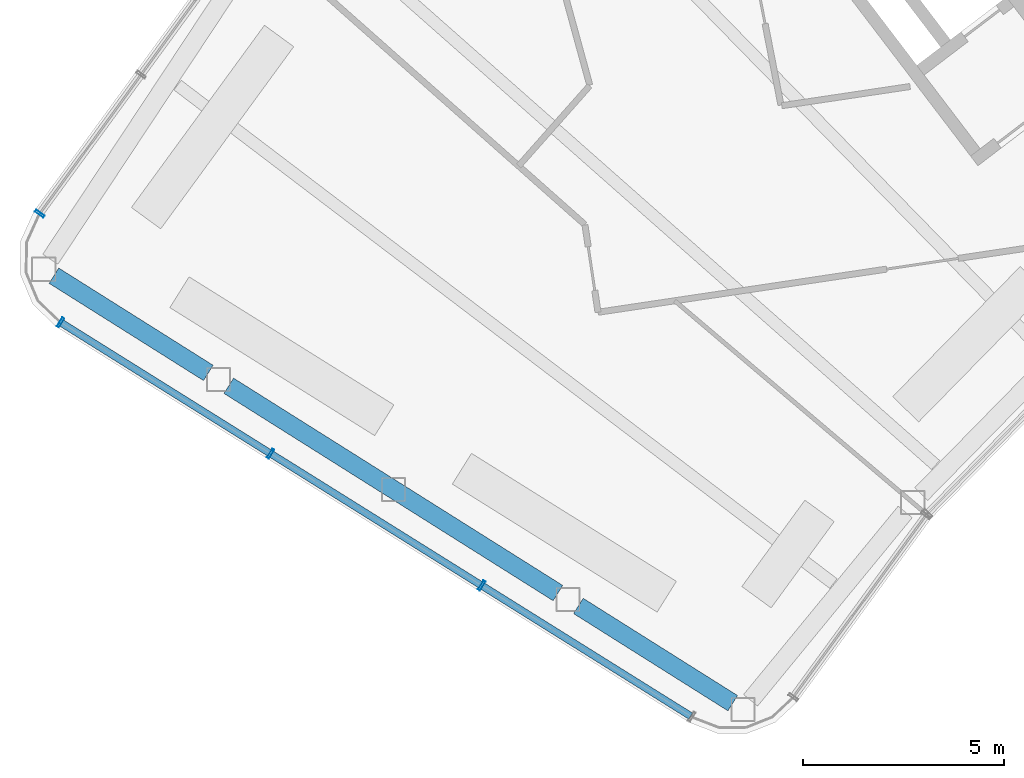
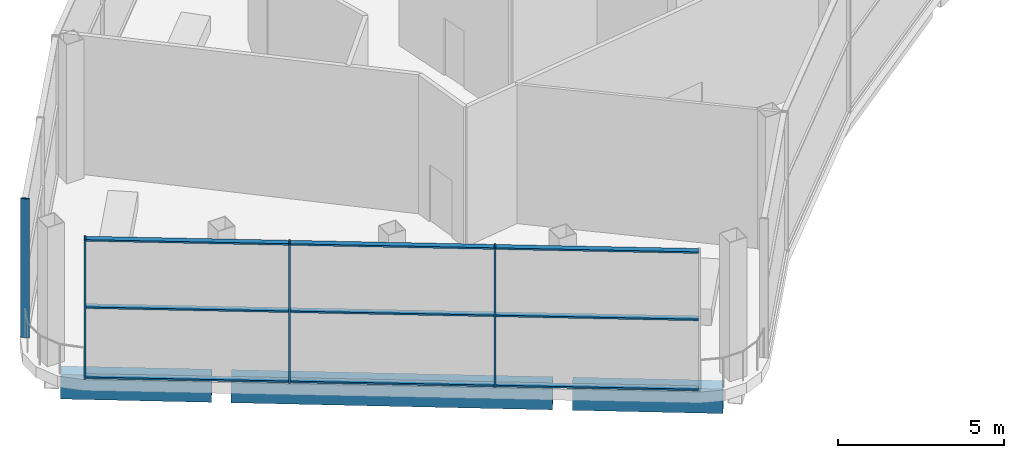
# One storey, part 3 of 43: 13 members, 3 beams, 2 elements without a shape of their own.
"""IFC4 building model written with IfcOpenShell, lengths in metres."""

from ifc_helpers import new_model, si_unit, direction, frame, origin, origin_2d, place, context, subcontext, project, spatial, hollow_rectangle, extrude, material, layer, layer_set, material_profile, profile_set, type_object, element, aggregate, save


model = new_model("IFC4")

# Units and contexts
model_context = context("Model", 3, precision=1e-05, world=origin(), true_north=direction((0.0, 1.0)))
body_context = subcontext(model_context, "Body", "Model", "MODEL_VIEW")
ifc_project = project(units=[si_unit("LENGTHUNIT", "METRE"), si_unit("AREAUNIT", "SQUARE_METRE"), si_unit("VOLUMEUNIT", "CUBIC_METRE"), si_unit("PLANEANGLEUNIT", "RADIAN"), si_unit("MASSUNIT", "GRAM", prefix="KILO")], contexts=[model_context])

# Site, building, storey
site_placement = place(None, origin())
site = spatial("IfcSite", under=ifc_project, at=site_placement, CompositionType="ELEMENT")
building_placement = place(site_placement, origin())
building = spatial("IfcBuilding", under=site, at=building_placement, Name="Tuul Gate Civic Tower", CompositionType="ELEMENT")
storey_placement = place(building_placement, frame((0.0, 0.0, 349.10009765625)))
storey = spatial("IfcBuildingStorey", under=building, at=storey_placement, Name="Observation level 1", CompositionType="ELEMENT", Elevation=349.10009765625)

# Curtain wall, member
ifc_material_1 = material(Name="Stainless steel", Category="steel")
ifc_layer = layer(ifc_material_1, 0.199951171875)
ifc_layer_set = layer_set([ifc_layer], Name="Stainless steel")
curtain_wall_type = type_object("IfcCurtainWallType", Name="Curtain wall CW4", PredefinedType="NOTDEFINED", material=ifc_layer_set)
curtain_wall_1_placement = place(storey_placement, origin())
curtain_wall_1 = element("IfcCurtainWall", 1, at=curtain_wall_1_placement, inside=storey, type_object=curtain_wall_type, Name="Curtain wall CW4", PredefinedType="NOTDEFINED")
ifc_material_2 = material(Name="Stainless steel", Category="steel")
ifc_material_profile_1 = material_profile(ifc_material_2, hollow_rectangle(XDim=0.260009765625, YDim=0.06005859375, WallThickness=0.006103515625, at=origin_2d()), Name="CW4 mullion")
ifc_profile_set_1 = profile_set([ifc_material_profile_1], Name="Stainless steel")
member_type_1 = type_object("IfcMemberType", Name="CW4 mullion", PredefinedType="MULLION", material=ifc_profile_set_1)
member_1_placement = place(storey_placement, frame((-59.580322265625, -18.919677734375, 0.0), z_axis=(0.0, 0.0, 1.0), x_axis=(0.807578487079, -0.589760109881, 0.0)))
member_1 = element("IfcMember", 2, at=member_1_placement, type_object=member_type_1, Name="Mullion", PredefinedType="MULLION", context=body_context, shape_type="SweptSolid", body=[
    extrude(hollow_rectangle(XDim=0.260009765625, YDim=0.06005859375, WallThickness=0.006103515625, at=origin_2d()), origin(), (0.0, 0.0, 1.0), 5.099853515625),
])
aggregate(curtain_wall_1, [member_1])

# Curtain wall, members
curtain_wall_2_placement = place(storey_placement, origin())
curtain_wall_2 = element("IfcCurtainWall", 3, at=curtain_wall_2_placement, inside=storey, type_object=curtain_wall_type, Name="Curtain wall CW4", PredefinedType="NOTDEFINED")
member_2_placement = place(storey_placement, frame((-59.0595703125, -21.619873046875, 0.0), z_axis=(0.0, 0.0, 1.0), x_axis=(0.529911707044, 0.848052818366, 0.0)))
member_2 = element("IfcMember", 4, at=member_2_placement, type_object=member_type_1, Name="Mullion", PredefinedType="MULLION", context=body_context, shape_type="SweptSolid", body=[
    extrude(hollow_rectangle(XDim=0.260009765625, YDim=0.06005859375, WallThickness=0.006103515625, at=origin_2d()), origin(), (0.0, 0.0, 1.0), 5.099853515625),
])
member_3_placement = place(storey_placement, frame((-53.841552734375, -24.88037109375, 0.0), z_axis=(0.0, 0.0, 1.0), x_axis=(0.529911707044, 0.848052818366, 0.0)))
member_3 = element("IfcMember", 5, at=member_3_placement, type_object=member_type_1, Name="Mullion", PredefinedType="MULLION", context=body_context, shape_type="SweptSolid", body=[
    extrude(hollow_rectangle(XDim=0.260009765625, YDim=0.06005859375, WallThickness=0.006103515625, at=origin_2d()), origin(), (0.0, 0.0, 1.0), 5.099853515625),
])
member_4_placement = place(storey_placement, frame((-48.598388671875, -28.15673828125, 0.0), z_axis=(0.0, 0.0, 1.0), x_axis=(0.529911707044, 0.848052818366, 0.0)))
member_4 = element("IfcMember", 6, at=member_4_placement, type_object=member_type_1, Name="Mullion", PredefinedType="MULLION", context=body_context, shape_type="SweptSolid", body=[
    extrude(hollow_rectangle(XDim=0.260009765625, YDim=0.06005859375, WallThickness=0.006103515625, at=origin_2d()), origin(), (0.0, 0.0, 1.0), 5.099853515625),
])
ifc_material_3 = material(Name="Stainless steel", Category="steel")
ifc_material_profile_2 = material_profile(ifc_material_3, hollow_rectangle(XDim=0.179931640625, YDim=0.06005859375, WallThickness=0.006103515625, at=origin_2d()), Name="CW4 transom")
ifc_profile_set_2 = profile_set([ifc_material_profile_2], Name="Stainless steel")
member_type_2 = type_object("IfcMemberType", Name="CW4 transom", PredefinedType="USERDEFINED", material=ifc_profile_set_2)
member_5_placement = place(storey_placement, frame((-59.0341796875, -21.6357421875, 0.02978515625), z_axis=(0.848043323515, -0.529926901979, 0.0), x_axis=(0.529926901979, 0.848043323515, 0.0)))
member_5 = element("IfcMember", 7, at=member_5_placement, type_object=member_type_2, Name="Transom", ObjectType="TRANSOM", PredefinedType="USERDEFINED", context=body_context, shape_type="SweptSolid", body=[
    extrude(hollow_rectangle(XDim=0.179931640625, YDim=0.06005859375, WallThickness=0.006103515625, at=origin_2d()), origin(), (0.0, 0.0, 1.0), 6.0927734375),
])
member_6_placement = place(storey_placement, frame((-59.0341796875, -21.6357421875, 2.599853515625), z_axis=(0.848043323515, -0.529926901979, 0.0), x_axis=(0.529926901979, 0.848043323515, 0.0)))
member_6 = element("IfcMember", 8, at=member_6_placement, type_object=member_type_2, Name="Transom", ObjectType="TRANSOM", PredefinedType="USERDEFINED", context=body_context, shape_type="SweptSolid", body=[
    extrude(hollow_rectangle(XDim=0.179931640625, YDim=0.06005859375, WallThickness=0.006103515625, at=origin_2d()), origin(), (0.0, 0.0, 1.0), 6.0927734375),
])
member_7_placement = place(storey_placement, frame((-59.0341796875, -21.6357421875, 5.06982421875), z_axis=(0.848043323515, -0.529926901979, 0.0), x_axis=(0.529926901979, 0.848043323515, 0.0)))
member_7 = element("IfcMember", 9, at=member_7_placement, type_object=member_type_2, Name="Transom", ObjectType="TRANSOM", PredefinedType="USERDEFINED", context=body_context, shape_type="SweptSolid", body=[
    extrude(hollow_rectangle(XDim=0.179931640625, YDim=0.06005859375, WallThickness=0.006103515625, at=origin_2d()), origin(), (0.0, 0.0, 1.0), 6.0927734375),
])
member_8_placement = place(storey_placement, frame((-53.816162109375, -24.896240234375, 0.02978515625), z_axis=(0.848043103374, -0.529927254271, 0.0), x_axis=(0.529927254271, 0.848043103374, 0.0)))
member_8 = element("IfcMember", 10, at=member_8_placement, type_object=member_type_2, Name="Transom", ObjectType="TRANSOM", PredefinedType="USERDEFINED", context=body_context, shape_type="SweptSolid", body=[
    extrude(hollow_rectangle(XDim=0.179931640625, YDim=0.06005859375, WallThickness=0.006103515625, at=origin_2d()), origin(), (0.0, 0.0, 1.0), 6.122802734375),
])
member_9_placement = place(storey_placement, frame((-53.816162109375, -24.896240234375, 2.599853515625), z_axis=(0.848043103374, -0.529927254271, 0.0), x_axis=(0.529927254271, 0.848043103374, 0.0)))
member_9 = element("IfcMember", 11, at=member_9_placement, type_object=member_type_2, Name="Transom", ObjectType="TRANSOM", PredefinedType="USERDEFINED", context=body_context, shape_type="SweptSolid", body=[
    extrude(hollow_rectangle(XDim=0.179931640625, YDim=0.06005859375, WallThickness=0.006103515625, at=origin_2d()), origin(), (0.0, 0.0, 1.0), 6.122802734375),
])
member_10_placement = place(storey_placement, frame((-53.816162109375, -24.896240234375, 5.06982421875), z_axis=(0.848043103374, -0.529927254271, 0.0), x_axis=(0.529927254271, 0.848043103374, 0.0)))
member_10 = element("IfcMember", 12, at=member_10_placement, type_object=member_type_2, Name="Transom", ObjectType="TRANSOM", PredefinedType="USERDEFINED", context=body_context, shape_type="SweptSolid", body=[
    extrude(hollow_rectangle(XDim=0.179931640625, YDim=0.06005859375, WallThickness=0.006103515625, at=origin_2d()), origin(), (0.0, 0.0, 1.0), 6.122802734375),
])
member_11_placement = place(storey_placement, frame((-48.572998046875, -28.172607421875, 0.02978515625), z_axis=(0.848072581968, -0.529880076728, 0.0), x_axis=(0.529880076728, 0.848072581968, 0.0)))
member_11 = element("IfcMember", 13, at=member_11_placement, type_object=member_type_2, Name="Transom", ObjectType="TRANSOM", PredefinedType="USERDEFINED", context=body_context, shape_type="SweptSolid", body=[
    extrude(hollow_rectangle(XDim=0.179931640625, YDim=0.06005859375, WallThickness=0.006103515625, at=origin_2d()), origin(), (0.0, 0.0, 1.0), 6.093017578125),
])
member_12_placement = place(storey_placement, frame((-48.572998046875, -28.172607421875, 2.599853515625), z_axis=(0.848072581968, -0.529880076728, 0.0), x_axis=(0.529880076728, 0.848072581968, 0.0)))
member_12 = element("IfcMember", 14, at=member_12_placement, type_object=member_type_2, Name="Transom", ObjectType="TRANSOM", PredefinedType="USERDEFINED", context=body_context, shape_type="SweptSolid", body=[
    extrude(hollow_rectangle(XDim=0.179931640625, YDim=0.06005859375, WallThickness=0.006103515625, at=origin_2d()), origin(), (0.0, 0.0, 1.0), 6.093017578125),
])
member_13_placement = place(storey_placement, frame((-48.572998046875, -28.172607421875, 5.06982421875), z_axis=(0.848072581968, -0.529880076728, 0.0), x_axis=(0.529880076728, 0.848072581968, 0.0)))
member_13 = element("IfcMember", 15, at=member_13_placement, type_object=member_type_2, Name="Transom", ObjectType="TRANSOM", PredefinedType="USERDEFINED", context=body_context, shape_type="SweptSolid", body=[
    extrude(hollow_rectangle(XDim=0.179931640625, YDim=0.06005859375, WallThickness=0.006103515625, at=origin_2d()), origin(), (0.0, 0.0, 1.0), 6.093017578125),
])
aggregate(curtain_wall_2, [member_2, member_3, member_4, member_5, member_6, member_7, member_8, member_9, member_10, member_11, member_12, member_13])

# Beams
ifc_material_4 = material(Name="Steel S355", Category="steel")
ifc_material_profile_3 = material_profile(ifc_material_4, hollow_rectangle(XDim=0.449951171875, YDim=0.89990234375, WallThickness=0.02490234375, at=origin_2d()), Name="BOX900x450x25")
ifc_profile_set_3 = profile_set([ifc_material_profile_3], Name="Steel S355")
beam_type = type_object("IfcBeamType", Name="STR-SPANDREL BEAM-BOX900x450x25", PredefinedType="BEAM", material=ifc_profile_set_3)
beam_1_placement = place(storey_placement, frame((-59.22509765625, -20.4599609375, -0.85009765625), z_axis=(0.846180663287, -0.532896129728, 0.0), x_axis=(0.532896129728, 0.846180663287, 0.0)))
element("IfcBeam", 16, at=beam_1_placement, inside=storey, type_object=beam_type, Name="Spandrel beam", PredefinedType="BEAM", context=body_context, shape_type="SweptSolid", body=[
    extrude(hollow_rectangle(XDim=0.449951171875, YDim=0.89990234375, WallThickness=0.02490234375, at=origin_2d()), origin(), (0.0, 0.0, 1.0), 4.532470703125),
])
beam_2_placement = place(storey_placement, frame((-54.882080078125, -23.19482421875, -0.85009765625), z_axis=(0.846196555074, -0.532870894477, 0.0), x_axis=(0.532870894477, 0.846196555074, 0.0)))
element("IfcBeam", 17, at=beam_2_placement, inside=storey, type_object=beam_type, Name="Spandrel beam", PredefinedType="BEAM", context=body_context, shape_type="SweptSolid", body=[
    extrude(hollow_rectangle(XDim=0.449951171875, YDim=0.89990234375, WallThickness=0.02490234375, at=origin_2d()), origin(), (0.0, 0.0, 1.0), 9.66357421875),
])
beam_3_placement = place(storey_placement, frame((-46.197265625, -28.663818359375, -0.85009765625), z_axis=(0.846134763568, -0.532969006493, 0.0), x_axis=(0.532969006493, 0.846134763568, 0.0)))
element("IfcBeam", 18, at=beam_3_placement, inside=storey, type_object=beam_type, Name="Spandrel beam", PredefinedType="BEAM", context=body_context, shape_type="SweptSolid", body=[
    extrude(hollow_rectangle(XDim=0.449951171875, YDim=0.89990234375, WallThickness=0.02490234375, at=origin_2d()), origin(), (0.0, 0.0, 1.0), 4.53173828125),
])

save(model, "model.ifc")
